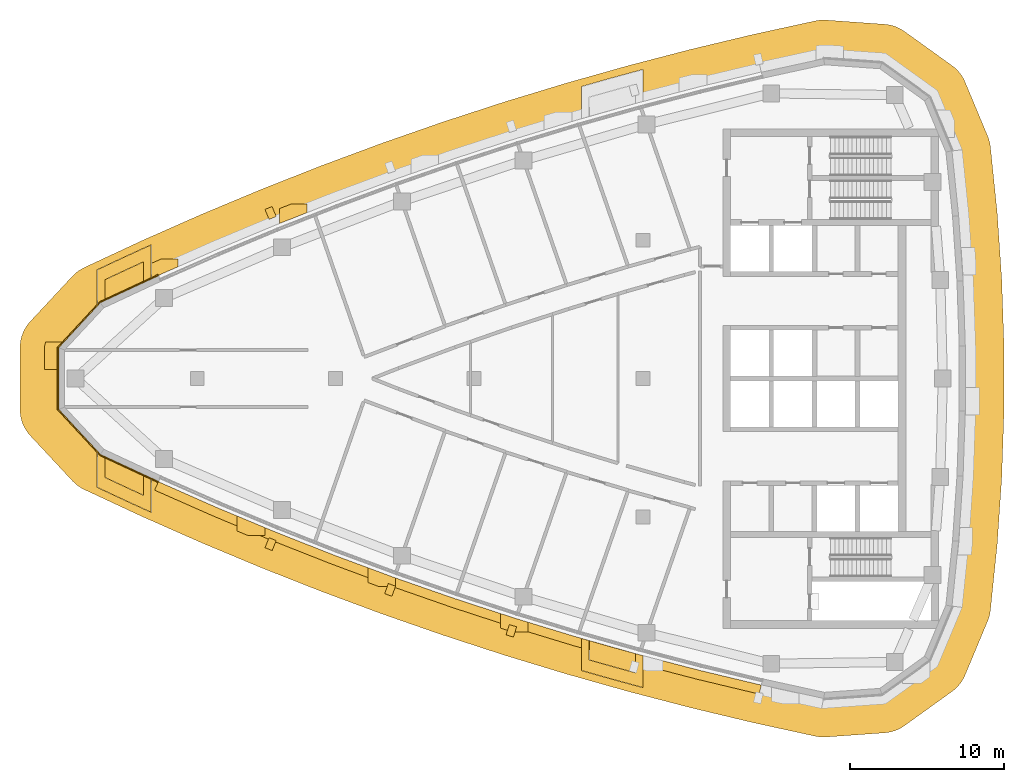
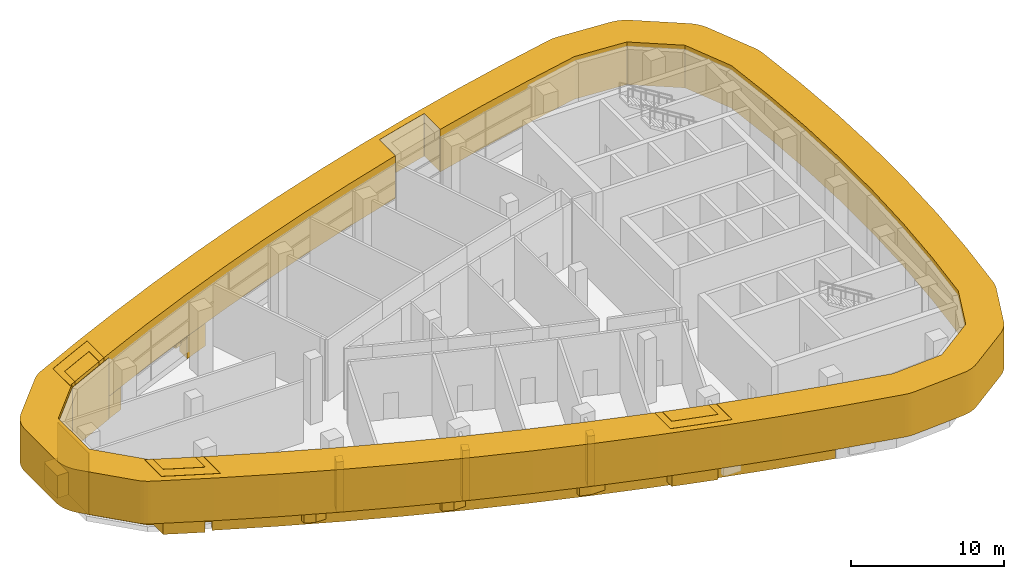
# One storey, part 11 of 14: 23 coverings.
"""IFC4 building model written with IfcOpenShell, lengths in metres."""

from ifc_helpers import new_model, si_unit, direction, frame, frame_2d, origin, place, context, subcontext, project, spatial, polyline, rectangle, outline, extrude, material, layer, layer_set, type_object, element, save


model = new_model("IFC4")

# Units and contexts
model_context = context("Model", 3, precision=1e-05, world=origin(), true_north=direction((0.0, 1.0)))
body_context = subcontext(model_context, "Body", "Model", "MODEL_VIEW")
ifc_project = project(units=[si_unit("LENGTHUNIT", "METRE"), si_unit("AREAUNIT", "SQUARE_METRE"), si_unit("VOLUMEUNIT", "CUBIC_METRE"), si_unit("PLANEANGLEUNIT", "RADIAN"), si_unit("MASSUNIT", "GRAM", prefix="KILO")], contexts=[model_context])

# Site, building, storey
site_placement = place(None, origin())
site = spatial("IfcSite", under=ifc_project, at=site_placement, CompositionType="ELEMENT")
building_placement = place(site_placement, origin())
building = spatial("IfcBuilding", under=site, at=building_placement, Name="Ostrand Prow Hotel Tower", CompositionType="ELEMENT")
storey_placement = place(building_placement, frame((0.0, 0.0, 303.39990234375)))
storey = spatial("IfcBuildingStorey", under=building, at=storey_placement, Name="L77", CompositionType="ELEMENT", Elevation=303.39990234375)

# Coverings
ifc_material_1 = material(Name="Limestone cladding", Category="masonry")
ifc_layer_1 = layer(ifc_material_1, 2.0)
ifc_layer_set_1 = layer_set([ifc_layer_1], Name="Limestone cladding")
covering_type_1 = type_object("IfcCoveringType", Name="Belt lip limestone", PredefinedType="CLADDING", material=ifc_layer_set_1)
covering_1_placement = place(storey_placement, frame((0.0, 0.0, 1.800048828125)))
element("IfcCovering", 1, at=covering_1_placement, inside=storey, type_object=covering_type_1, Name="Belt L77", PredefinedType="CLADDING", context=body_context, shape_type="SweptSolid", body=[
    extrude(outline(polyline([(12.458984375, 8.999755859375), (12.4130859375, 8.97900390625), (8.65478515625, 7.228271484375), (8.44189453125, 7.1162109375), (8.24072265625, 6.984375), (8.05322265625, 6.833984375), (7.881103515625, 6.666015625), (5.135498046875, 3.718017578125), (4.98388671875, 3.539306640625), (4.849853515625, 3.347412109375), (4.734375, 3.1435546875), (4.638427734375, 2.9296875), (4.56298828125, 2.7080078125), (4.5087890625, 2.47998046875), (4.475830078125, 2.248291015625), (4.46484375, 2.01416015625), (4.46484375, -2.01416015625), (4.475830078125, -2.248291015625), (4.5087890625, -2.47998046875), (4.56298828125, -2.7080078125), (4.638427734375, -2.9296875), (4.734375, -3.1435546875), (4.849853515625, -3.347412109375), (4.98388671875, -3.539306640625), (5.135498046875, -3.718017578125), (7.881103515625, -6.666015625), (8.05322265625, -6.833984375), (8.24072265625, -6.984375), (8.44189453125, -7.1162109375), (8.65478515625, -7.228271484375), (12.4130859375, -8.97900390625), (12.458984375, -8.999755859375), (16.251953125, -10.674560546875), (16.298095703125, -10.6943359375), (20.123779296875, -12.29248046875), (20.17041015625, -12.3115234375), (24.027587890625, -13.83251953125), (24.074462890625, -13.8505859375), (27.961181640625, -15.293701171875), (28.008544921875, -15.310791015625), (31.923583984375, -16.67529296875), (31.97119140625, -16.69140625), (35.9130859375, -17.977294921875), (35.961181640625, -17.9921875), (39.927978515625, -19.198486328125), (39.97607421875, -19.212890625), (43.96630859375, -20.339111328125), (44.014892578125, -20.352294921875), (48.027099609375, -21.398193359375), (48.07568359375, -21.410400390625), (52.10791015625, -22.375244140625), (52.156982421875, -22.386474609375), (56.2080078125, -23.270263671875), (56.44287109375, -23.309814453125), (56.6806640625, -23.326904296875), (56.918701171875, -23.3212890625), (60.724365234375, -23.0498046875), (60.95263671875, -23.022705078125), (61.177490234375, -22.97509765625), (61.397216796875, -22.90673828125), (61.609619140625, -22.818603515625), (61.81298828125, -22.71142578125), (62.005615234375, -22.5859375), (65.103515625, -20.359130859375), (65.28369140625, -20.21630859375), (65.4501953125, -20.057861328125), (65.601318359375, -19.884521484375), (65.736083984375, -19.6982421875), (65.852783203125, -19.500244140625), (65.951171875, -19.292236328125), (67.421142578125, -15.771728515625), (67.50390625, -15.5419921875), (67.564208984375, -15.305419921875), (67.60107421875, -15.064208984375), (68.03466796875, -10.845458984375), (68.0419921875, -10.760498046875), (68.331298828125, -6.529296875), (68.335693359375, -6.444091796875), (68.48046875, -2.205810546875), (68.48193359375, -2.120361328125), (68.48193359375, 2.120361328125), (68.48046875, 2.205810546875), (68.335693359375, 6.444091796875), (68.331298828125, 6.529296875), (68.0419921875, 10.760498046875), (68.03466796875, 10.845458984375), (67.60107421875, 15.064208984375), (67.564208984375, 15.305419921875), (67.50390625, 15.5419921875), (67.421142578125, 15.771728515625), (65.951171875, 19.292236328125), (65.852783203125, 19.500244140625), (65.736083984375, 19.6982421875), (65.601318359375, 19.884521484375), (65.4501953125, 20.057861328125), (65.28369140625, 20.21630859375), (65.103515625, 20.359130859375), (62.005615234375, 22.5859375), (61.81298828125, 22.71142578125), (61.609619140625, 22.818603515625), (61.397216796875, 22.90673828125), (61.177490234375, 22.97509765625), (60.95263671875, 23.022705078125), (60.724365234375, 23.0498046875), (56.918701171875, 23.3212890625), (56.6806640625, 23.326904296875), (56.44287109375, 23.309814453125), (56.2080078125, 23.270263671875), (52.156982421875, 22.386474609375), (52.10791015625, 22.375244140625), (48.07568359375, 21.410400390625), (48.027099609375, 21.398193359375), (44.014892578125, 20.352294921875), (43.96630859375, 20.339111328125), (39.97607421875, 19.212890625), (39.927978515625, 19.198486328125), (35.961181640625, 17.9921875), (35.9130859375, 17.977294921875), (31.97119140625, 16.69140625), (31.923583984375, 16.67529296875), (28.008544921875, 15.310791015625), (27.961181640625, 15.293701171875), (24.074462890625, 13.8505859375), (24.027587890625, 13.83251953125), (20.17041015625, 12.3115234375), (20.123779296875, 12.29248046875), (16.298095703125, 10.6943359375), (16.251953125, 10.674560546875), (12.458984375, 8.999755859375)]), holes=[polyline([(6.96484375, -2.01416015625), (6.96484375, 2.01416015625), (9.691162109375, 4.94140625), (9.50439453125, 4.852294921875), (9.50341796875, 4.851806640625), (9.50244140625, 4.8515625), (9.501708984375, 4.851318359375), (9.50048828125, 4.851318359375), (9.49951171875, 4.851318359375), (9.498779296875, 4.851318359375), (9.497802734375, 4.8515625), (9.496826171875, 4.851806640625), (9.495849609375, 4.852294921875), (9.4951171875, 4.8525390625), (9.494384765625, 4.85302734375), (9.493408203125, 4.853759765625), (9.492919921875, 4.8544921875), (9.4921875, 4.85498046875), (9.49169921875, 4.85595703125), (9.4912109375, 4.856689453125), (9.49072265625, 4.857666015625), (9.490478515625, 4.8583984375), (9.490234375, 4.859375), (9.489990234375, 4.8603515625), (9.489990234375, 4.861328125), (9.489990234375, 7.076904296875), (9.489990234375, 7.077880859375), (9.490234375, 7.078857421875), (9.490478515625, 7.07958984375), (9.49072265625, 7.08056640625), (9.4912109375, 7.081298828125), (9.49169921875, 7.082275390625), (9.4921875, 7.0830078125), (9.49267578125, 7.083740234375), (9.493408203125, 7.08447265625), (9.494140625, 7.0849609375), (9.494873046875, 7.08544921875), (9.49560546875, 7.0859375), (10.37060546875, 7.498046875), (10.370849609375, 7.498046875), (11.245849609375, 7.9052734375), (11.245849609375, 7.9052734375), (12.120849609375, 8.3076171875), (12.120849609375, 8.3076171875), (12.995849609375, 8.704833984375), (12.996826171875, 8.705322265625), (12.997802734375, 8.70556640625), (12.998779296875, 8.705810546875), (12.999755859375, 8.705810546875), (13.000732421875, 8.705810546875), (13.001708984375, 8.705810546875), (13.002685546875, 8.70556640625), (13.003662109375, 8.705078125), (13.004638671875, 8.70458984375), (13.00537109375, 8.7041015625), (13.006103515625, 8.70361328125), (13.007080078125, 8.702880859375), (13.0078125, 8.702392578125), (13.00830078125, 8.701416015625), (13.0087890625, 8.70068359375), (13.00927734375, 8.69970703125), (13.009521484375, 8.69873046875), (13.009765625, 8.69775390625), (13.010009765625, 8.69677734375), (13.010009765625, 8.69580078125), (13.010009765625, 6.49951171875), (13.010009765625, 6.4990234375), (13.468994140625, 6.712890625), (17.26171875, 8.3876953125), (21.08740234375, 9.98583984375), (24.944580078125, 11.5068359375), (28.83154296875, 12.949951171875), (32.74658203125, 14.314697265625), (36.6884765625, 15.6005859375), (40.6552734375, 16.806884765625), (40.99169921875, 16.90185546875), (40.99169921875, 16.902099609375), (40.9912109375, 16.90283203125), (40.99072265625, 16.90380859375), (40.990478515625, 16.904541015625), (40.990234375, 16.905517578125), (40.989990234375, 16.906494140625), (40.989990234375, 16.907470703125), (40.989990234375, 18.98974609375), (40.989990234375, 18.99072265625), (40.990234375, 18.99169921875), (40.990478515625, 18.99267578125), (40.99072265625, 18.99365234375), (40.9912109375, 18.994384765625), (40.99169921875, 18.995361328125), (40.9921875, 18.99609375), (40.992919921875, 18.996826171875), (40.99365234375, 18.99755859375), (40.994384765625, 18.998291015625), (40.995361328125, 18.998779296875), (40.996337890625, 18.9990234375), (40.997314453125, 18.99951171875), (41.997314453125, 19.284912109375), (41.997314453125, 19.284912109375), (42.997314453125, 19.565185546875), (42.997314453125, 19.565185546875), (43.997314453125, 19.83984375), (43.997314453125, 19.83984375), (44.997314453125, 20.109375), (44.998291015625, 20.109619140625), (44.999267578125, 20.109619140625), (45.000244140625, 20.109619140625), (45.001220703125, 20.109619140625), (45.002197265625, 20.109375), (45.003173828125, 20.109130859375), (45.00390625, 20.10888671875), (45.0048828125, 20.1083984375), (45.005615234375, 20.10791015625), (45.006591796875, 20.107177734375), (45.007080078125, 20.106689453125), (45.0078125, 20.10595703125), (45.00830078125, 20.10498046875), (45.0087890625, 20.104248046875), (45.00927734375, 20.103515625), (45.009521484375, 20.1025390625), (45.009765625, 20.1015625), (45.010009765625, 20.1005859375), (45.010009765625, 20.099609375), (45.010009765625, 18.029052734375), (45.010009765625, 18.028076171875), (48.65771484375, 18.97900390625), (52.68994140625, 19.94384765625), (56.74072265625, 20.82763671875), (60.54638671875, 20.55615234375), (63.644287109375, 18.3291015625), (65.114013671875, 14.80859375), (65.547607421875, 10.58984375), (65.837158203125, 6.35888671875), (65.98193359375, 2.120361328125), (65.98193359375, -2.120361328125), (65.837158203125, -6.35888671875), (65.547607421875, -10.58984375), (65.114013671875, -14.80859375), (63.644287109375, -18.3291015625), (60.54638671875, -20.55615234375), (56.74072265625, -20.82763671875), (52.68994140625, -19.94384765625), (48.65771484375, -18.97900390625), (45.010009765625, -18.028076171875), (45.010009765625, -18.029052734375), (45.010009765625, -20.099609375), (45.010009765625, -20.1005859375), (45.009765625, -20.1015625), (45.009521484375, -20.1025390625), (45.00927734375, -20.103515625), (45.0087890625, -20.104248046875), (45.00830078125, -20.10498046875), (45.0078125, -20.10595703125), (45.007080078125, -20.106689453125), (45.006591796875, -20.107177734375), (45.005615234375, -20.10791015625), (45.0048828125, -20.1083984375), (45.00390625, -20.10888671875), (45.003173828125, -20.109130859375), (45.002197265625, -20.109375), (45.001220703125, -20.109619140625), (45.000244140625, -20.109619140625), (44.999267578125, -20.109619140625), (44.998291015625, -20.109619140625), (44.997314453125, -20.109375), (43.997314453125, -19.83984375), (43.997314453125, -19.83984375), (42.997314453125, -19.565185546875), (42.997314453125, -19.565185546875), (41.997314453125, -19.284912109375), (41.997314453125, -19.284912109375), (40.997314453125, -18.99951171875), (40.996337890625, -18.9990234375), (40.995361328125, -18.998779296875), (40.994384765625, -18.998291015625), (40.99365234375, -18.99755859375), (40.992919921875, -18.996826171875), (40.9921875, -18.99609375), (40.99169921875, -18.995361328125), (40.9912109375, -18.994384765625), (40.99072265625, -18.99365234375), (40.990478515625, -18.99267578125), (40.990234375, -18.99169921875), (40.989990234375, -18.99072265625), (40.989990234375, -18.98974609375), (40.989990234375, -16.907470703125), (40.989990234375, -16.906494140625), (40.990234375, -16.905517578125), (40.990478515625, -16.904541015625), (40.99072265625, -16.90380859375), (40.9912109375, -16.90283203125), (40.99169921875, -16.902099609375), (40.99169921875, -16.90185546875), (40.6552734375, -16.806884765625), (36.6884765625, -15.6005859375), (32.74658203125, -14.314697265625), (28.83154296875, -12.949951171875), (24.944580078125, -11.5068359375), (21.08740234375, -9.98583984375), (17.26171875, -8.3876953125), (13.468994140625, -6.712890625), (13.010009765625, -6.4990234375), (13.010009765625, -6.49951171875), (13.010009765625, -8.69580078125), (13.010009765625, -8.69677734375), (13.009765625, -8.69775390625), (13.009521484375, -8.69873046875), (13.00927734375, -8.69970703125), (13.0087890625, -8.70068359375), (13.00830078125, -8.701416015625), (13.0078125, -8.702392578125), (13.007080078125, -8.702880859375), (13.006103515625, -8.70361328125), (13.00537109375, -8.7041015625), (13.004638671875, -8.70458984375), (13.003662109375, -8.705078125), (13.002685546875, -8.70556640625), (13.001708984375, -8.705810546875), (13.000732421875, -8.705810546875), (12.999755859375, -8.705810546875), (12.998779296875, -8.705810546875), (12.997802734375, -8.70556640625), (12.996826171875, -8.705322265625), (12.995849609375, -8.704833984375), (12.120849609375, -8.3076171875), (12.120849609375, -8.3076171875), (11.245849609375, -7.9052734375), (11.245849609375, -7.9052734375), (10.370849609375, -7.498046875), (10.37060546875, -7.498046875), (9.49560546875, -7.0859375), (9.494873046875, -7.08544921875), (9.494140625, -7.0849609375), (9.493408203125, -7.08447265625), (9.49267578125, -7.083740234375), (9.4921875, -7.0830078125), (9.49169921875, -7.082275390625), (9.4912109375, -7.081298828125), (9.49072265625, -7.08056640625), (9.490478515625, -7.07958984375), (9.490234375, -7.078857421875), (9.489990234375, -7.077880859375), (9.489990234375, -7.076904296875), (9.489990234375, -4.861328125), (9.489990234375, -4.8603515625), (9.490234375, -4.859375), (9.490478515625, -4.8583984375), (9.49072265625, -4.857666015625), (9.4912109375, -4.856689453125), (9.49169921875, -4.85595703125), (9.4921875, -4.85498046875), (9.492919921875, -4.8544921875), (9.493408203125, -4.853759765625), (9.494384765625, -4.85302734375), (9.4951171875, -4.8525390625), (9.495849609375, -4.852294921875), (9.496826171875, -4.851806640625), (9.497802734375, -4.8515625), (9.498779296875, -4.851318359375), (9.49951171875, -4.851318359375), (9.50048828125, -4.851318359375), (9.501708984375, -4.851318359375), (9.50244140625, -4.8515625), (9.50341796875, -4.851806640625), (9.50439453125, -4.852294921875), (9.691162109375, -4.94140625), (6.96484375, -2.01416015625)])]), origin(), (0.0, 0.0, 1.0), 3.400146484375),
])
covering_2_placement = place(storey_placement, origin())
element("IfcCovering", 2, at=covering_2_placement, inside=storey, type_object=covering_type_1, Name="Belt fin 1 L77", PredefinedType="CLADDING", context=body_context, shape_type="SweptSolid", body=[
    extrude(outline(polyline([(6.06494140625, 2.01416015625), (6.06494140625, 0.582275390625), (6.96484375, 0.582275390625), (6.96484375, 2.01416015625), (7.3076171875, 2.38232421875), (6.144775390625, 2.38232421875), (6.12744140625, 2.34375), (6.10009765625, 2.263916015625), (6.08056640625, 2.181884765625), (6.06884765625, 2.098388671875), (6.06494140625, 2.01416015625)])), origin(), (0.0, 0.0, 1.0), 1.800048828125),
])
covering_3_placement = place(storey_placement, origin())
element("IfcCovering", 3, at=covering_3_placement, inside=storey, type_object=covering_type_1, Name="Belt fin 3 L77", PredefinedType="CLADDING", context=body_context, shape_type="SweptSolid", body=[
    extrude(outline(polyline([(18.598388671875, -9.92138671875), (19.31787109375, -10.221923828125), (20.3984375, -10.221923828125), (20.3984375, -9.697998046875), (18.598388671875, -8.946044921875), (18.598388671875, -9.92138671875)])), origin(), (0.0, 0.0, 1.0), 1.800048828125),
])
covering_4_placement = place(storey_placement, origin())
element("IfcCovering", 4, at=covering_4_placement, inside=storey, type_object=covering_type_1, Name="Belt fin 4 L77", PredefinedType="CLADDING", context=body_context, shape_type="SweptSolid", body=[
    extrude(outline(polyline([(27.093505859375, -13.2646484375), (27.831787109375, -13.538818359375), (28.893310546875, -13.538818359375), (28.893310546875, -12.9716796875), (28.83154296875, -12.949951171875), (27.093505859375, -12.3046875), (27.093505859375, -13.2646484375)])), origin(), (0.0, 0.0, 1.0), 1.800048828125),
])
covering_5_placement = place(storey_placement, origin())
element("IfcCovering", 5, at=covering_5_placement, inside=storey, type_object=covering_type_1, Name="Belt fin 5 L77", PredefinedType="CLADDING", context=body_context, shape_type="SweptSolid", body=[
    extrude(outline(polyline([(36.426513671875, -16.461669921875), (36.487548828125, -16.47998046875), (37.52587890625, -16.47998046875), (37.52587890625, -15.855224609375), (36.6884765625, -15.6005859375), (35.725830078125, -15.28662109375), (35.725830078125, -16.233154296875), (36.4091796875, -16.4560546875), (36.426513671875, -16.461669921875)])), origin(), (0.0, 0.0, 1.0), 1.800048828125),
])
covering_6_placement = place(storey_placement, origin())
element("IfcCovering", 6, at=covering_6_placement, inside=storey, type_object=covering_type_1, Name="Belt fin 17 L77", PredefinedType="CLADDING", context=body_context, shape_type="SweptSolid", body=[
    extrude(outline(polyline([(22.072265625, 11.341552734375), (21.34326171875, 11.05419921875), (21.34326171875, 10.086669921875), (23.143310546875, 10.79638671875), (23.143310546875, 11.341552734375), (22.072265625, 11.341552734375)])), origin(), (0.0, 0.0, 1.0), 1.800048828125),
])
covering_7_placement = place(storey_placement, origin())
element("IfcCovering", 7, at=covering_7_placement, inside=storey, type_object=covering_type_1, Name="Belt fin 18 L77", PredefinedType="CLADDING", context=body_context, shape_type="SweptSolid", body=[
    extrude(outline(polyline([(13.65771484375, 7.780029296875), (13.105224609375, 7.5361328125), (13.0888671875, 7.528564453125), (13.010009765625, 7.491943359375), (13.010009765625, 6.49951171875), (13.010009765625, 6.4990234375), (13.468994140625, 6.712890625), (14.747802734375, 7.277587890625), (14.747802734375, 7.780029296875), (13.65771484375, 7.780029296875)])), origin(), (0.0, 0.0, 1.0), 1.800048828125),
])
ifc_material_2 = material(Name="Bronze anodised aluminium cladding", Category="aluminium")
ifc_layer_2 = layer(ifc_material_2, 0.60009765625)
ifc_layer_set_2 = layer_set([ifc_layer_2], Name="Bronze anodised aluminium cladding")
covering_type_2 = type_object("IfcCoveringType", Name="Bronze spandrel band 1200x600", PredefinedType="CLADDING", material=ifc_layer_set_2)
covering_8_placement = place(storey_placement, frame((0.0, 0.0, -0.2998046875)))
element("IfcCovering", 8, at=covering_8_placement, inside=storey, type_object=covering_type_2, Name="Spandrel band S1", PredefinedType="CLADDING", context=body_context, shape_type="SweptSolid", body=[
    extrude(outline(polyline([(13.220947265625, -7.25927734375), (17.02490234375, -8.938720703125), (20.86181640625, -10.541748046875), (24.72998046875, -12.067138671875), (28.62841796875, -13.514404296875), (32.5546875, -14.88330078125), (36.508056640625, -16.172607421875), (40.486328125, -17.382568359375), (44.48828125, -18.51220703125), (48.51220703125, -19.56103515625), (52.55615234375, -20.52880859375), (52.68994140625, -19.94384765625), (48.65771484375, -18.97900390625), (44.6455078125, -17.93310546875), (40.6552734375, -16.806884765625), (36.6884765625, -15.6005859375), (32.74658203125, -14.314697265625), (28.83154296875, -12.949951171875), (24.944580078125, -11.5068359375), (21.08740234375, -9.98583984375), (17.26171875, -8.3876953125), (13.468994140625, -6.712890625), (13.220947265625, -7.25927734375)])), origin(), (0.0, 0.0, 1.0), 1.199951171875),
])
ifc_material_3 = material(Name="Limestone cladding", Category="masonry")
ifc_layer_3 = layer(ifc_material_3, 5.0)
ifc_layer_set_3 = layer_set([ifc_layer_3], Name="Limestone cladding")
covering_type_3 = type_object("IfcCoveringType", Name="Portal jamb pilaster limestone", PredefinedType="CLADDING", material=ifc_layer_set_3)
covering_9_placement = place(storey_placement, origin())
element("IfcCovering", 9, at=covering_9_placement, inside=storey, type_object=covering_type_3, Name="Portal jamb SA L77", PredefinedType="CLADDING", context=body_context, shape_type="SweptSolid", body=[
    extrude(outline(polyline([(10.0, -5.10009765625), (10.0, -6.428466796875), (10.833251953125, -6.8203125), (11.666748046875, -7.20751953125), (12.5, -7.590087890625), (12.5, -6.270263671875), (11.666748046875, -5.884765625), (10.833251953125, -5.494873046875), (10.0, -5.10009765625)])), origin(), (0.0, 0.0, 1.0), 5.2001953125),
])
covering_10_placement = place(storey_placement, origin())
element("IfcCovering", 10, at=covering_10_placement, inside=storey, type_object=covering_type_3, Name="Portal jamb SB L77", PredefinedType="CLADDING", context=body_context, shape_type="SweptSolid", body=[
    extrude(outline(polyline([(41.5, -17.052490234375), (41.5, -18.301025390625), (42.5, -18.585205078125), (43.5, -18.86376953125), (44.5, -19.136962890625), (44.5, -17.8935546875), (43.5, -17.61865234375), (42.5, -17.338134765625), (41.5, -17.052490234375)])), origin(), (0.0, 0.0, 1.0), 5.2001953125),
])
covering_11_placement = place(storey_placement, origin())
element("IfcCovering", 11, at=covering_11_placement, inside=storey, type_object=covering_type_3, Name="Portal jamb NA L77", PredefinedType="CLADDING", context=body_context, shape_type="SweptSolid", body=[
    extrude(outline(polyline([(10.0, 5.10009765625), (10.833251953125, 5.494873046875), (11.666748046875, 5.884765625), (12.5, 6.270263671875), (12.5, 7.590087890625), (11.666748046875, 7.20751953125), (10.833251953125, 6.8203125), (10.0, 6.428466796875), (10.0, 5.10009765625)])), origin(), (0.0, 0.0, 1.0), 5.2001953125),
])
ifc_material_4 = material(Name="Limestone cladding", Category="masonry")
ifc_layer_4 = layer(ifc_material_4, 4.0)
ifc_layer_set_4 = layer_set([ifc_layer_4], Name="Limestone cladding")
covering_type_4 = type_object("IfcCoveringType", Name="Portal lintel limestone", PredefinedType="CLADDING", material=ifc_layer_set_4)
covering_12_placement = place(storey_placement, frame((0.0, 0.0, 3.7001953125)))
element("IfcCovering", 12, at=covering_12_placement, inside=storey, type_object=covering_type_4, Name="Portal jamb cap SA L77", PredefinedType="CLADDING", context=body_context, shape_type="SweptSolid", body=[
    extrude(outline(polyline([(9.9912109375, -5.095458984375), (9.5, -4.861328125), (9.5, -7.076904296875), (10.375, -7.489013671875), (11.25, -7.896240234375), (12.125, -8.298583984375), (13.0, -8.69580078125), (13.0, -6.49951171875), (12.510009765625, -6.274169921875), (12.510009765625, -7.590087890625), (12.510009765625, -7.59130859375), (12.509765625, -7.59228515625), (12.509521484375, -7.59326171875), (12.50927734375, -7.593994140625), (12.5087890625, -7.594970703125), (12.50830078125, -7.595947265625), (12.507568359375, -7.5966796875), (12.507080078125, -7.597412109375), (12.506103515625, -7.59814453125), (12.50537109375, -7.5986328125), (12.50439453125, -7.59912109375), (12.503662109375, -7.599609375), (12.502685546875, -7.599853515625), (12.501708984375, -7.60009765625), (12.500732421875, -7.60009765625), (12.499755859375, -7.60009765625), (12.498779296875, -7.60009765625), (12.497802734375, -7.60009765625), (12.496826171875, -7.599609375), (12.495849609375, -7.599365234375), (11.66259765625, -7.216552734375), (11.66259765625, -7.216552734375), (10.8291015625, -6.829345703125), (10.8291015625, -6.829345703125), (9.99560546875, -6.4375), (9.994873046875, -6.43701171875), (9.994140625, -6.4365234375), (9.993408203125, -6.43603515625), (9.99267578125, -6.435302734375), (9.9921875, -6.4345703125), (9.99169921875, -6.433837890625), (9.9912109375, -6.43310546875), (9.99072265625, -6.43212890625), (9.990478515625, -6.43115234375), (9.990234375, -6.430419921875), (9.989990234375, -6.429443359375), (9.989990234375, -6.428466796875), (9.989990234375, -5.10009765625), (9.989990234375, -5.099365234375), (9.990234375, -5.098388671875), (9.990478515625, -5.097412109375), (9.99072265625, -5.096435546875), (9.9912109375, -5.095703125), (9.9912109375, -5.095458984375)])), origin(), (0.0, 0.0, 1.0), 1.5),
])
covering_13_placement = place(storey_placement, frame((0.0, 0.0, 3.7001953125)))
element("IfcCovering", 13, at=covering_13_placement, inside=storey, type_object=covering_type_4, Name="Portal jamb cap SB L77", PredefinedType="CLADDING", context=body_context, shape_type="SweptSolid", body=[
    extrude(outline(polyline([(41.490478515625, -17.049072265625), (41.0, -16.907470703125), (41.0, -18.98974609375), (42.0, -19.275390625), (43.0, -19.555419921875), (44.0, -19.830078125), (45.0, -20.099609375), (45.0, -18.029052734375), (44.510009765625, -17.8955078125), (44.510009765625, -19.136962890625), (44.510009765625, -19.137939453125), (44.509765625, -19.138916015625), (44.509521484375, -19.139892578125), (44.50927734375, -19.140625), (44.5087890625, -19.1416015625), (44.50830078125, -19.142333984375), (44.5078125, -19.143310546875), (44.507080078125, -19.143798828125), (44.50634765625, -19.14453125), (44.505615234375, -19.145263671875), (44.5048828125, -19.145751953125), (44.50390625, -19.14599609375), (44.503173828125, -19.146484375), (44.502197265625, -19.146728515625), (44.501220703125, -19.14697265625), (44.500244140625, -19.14697265625), (44.499267578125, -19.14697265625), (44.498291015625, -19.146728515625), (44.497314453125, -19.146484375), (43.497314453125, -18.873291015625), (43.497314453125, -18.873291015625), (42.497314453125, -18.5947265625), (42.497314453125, -18.5947265625), (41.497314453125, -18.310791015625), (41.496337890625, -18.310302734375), (41.495361328125, -18.31005859375), (41.49462890625, -18.3095703125), (41.493896484375, -18.308837890625), (41.492919921875, -18.308349609375), (41.4921875, -18.3076171875), (41.49169921875, -18.306640625), (41.4912109375, -18.305908203125), (41.49072265625, -18.304931640625), (41.490478515625, -18.303955078125), (41.490234375, -18.302978515625), (41.489990234375, -18.302001953125), (41.489990234375, -18.301025390625), (41.489990234375, -17.052490234375), (41.489990234375, -17.051513671875), (41.490234375, -17.050537109375), (41.490478515625, -17.049560546875), (41.490478515625, -17.049072265625)])), origin(), (0.0, 0.0, 1.0), 1.5),
])
covering_14_placement = place(storey_placement, frame((0.0, 0.0, 3.7001953125)))
element("IfcCovering", 14, at=covering_14_placement, inside=storey, type_object=covering_type_4, Name="Portal jamb cap NA L77", PredefinedType="CLADDING", context=body_context, shape_type="SweptSolid", body=[
    extrude(outline(polyline([(9.5, 7.076904296875), (9.5, 4.861328125), (9.9912109375, 5.095458984375), (9.9912109375, 5.095703125), (9.99072265625, 5.096435546875), (9.990478515625, 5.097412109375), (9.990234375, 5.098388671875), (9.989990234375, 5.099365234375), (9.989990234375, 5.10009765625), (9.989990234375, 6.428466796875), (9.989990234375, 6.429443359375), (9.990234375, 6.430419921875), (9.990478515625, 6.43115234375), (9.99072265625, 6.43212890625), (9.9912109375, 6.43310546875), (9.99169921875, 6.433837890625), (9.9921875, 6.4345703125), (9.99267578125, 6.435302734375), (9.993408203125, 6.43603515625), (9.994140625, 6.4365234375), (9.994873046875, 6.43701171875), (9.99560546875, 6.4375), (10.8291015625, 6.829345703125), (10.8291015625, 6.829345703125), (11.66259765625, 7.216552734375), (11.66259765625, 7.216552734375), (12.495849609375, 7.599365234375), (12.496826171875, 7.599609375), (12.497802734375, 7.60009765625), (12.498779296875, 7.60009765625), (12.499755859375, 7.60009765625), (12.500732421875, 7.60009765625), (12.501708984375, 7.60009765625), (12.502685546875, 7.599853515625), (12.503662109375, 7.599609375), (12.50439453125, 7.59912109375), (12.50537109375, 7.5986328125), (12.506103515625, 7.59814453125), (12.507080078125, 7.597412109375), (12.507568359375, 7.5966796875), (12.50830078125, 7.595947265625), (12.5087890625, 7.594970703125), (12.50927734375, 7.593994140625), (12.509521484375, 7.59326171875), (12.509765625, 7.59228515625), (12.510009765625, 7.59130859375), (12.510009765625, 7.590087890625), (12.510009765625, 6.274169921875), (13.0, 6.49951171875), (13.0, 8.69580078125), (12.125, 8.298583984375), (11.25, 7.896240234375), (10.375, 7.489013671875), (9.5, 7.076904296875)])), origin(), (0.0, 0.0, 1.0), 1.5),
])
ifc_material_5 = material(Name="Limestone cladding", Category="masonry")
ifc_layer_5 = layer(ifc_material_5, 0.5)
ifc_layer_set_5 = layer_set([ifc_layer_5], Name="Limestone cladding")
covering_type_5 = type_object("IfcCoveringType", Name="Precast stone fin 500x600", PredefinedType="CLADDING", material=ifc_layer_set_5)
for number, where, z_axis, x_axis, name in (
    (15, (20.8994140625, -10.44921875, 0.900146484375), (0.0, 0.0, 1.0), (-0.376377046956, -0.926466577122, 0.0), "Stone fin S 3"),
    (16, (28.662109375, -13.42041015625, 0.900146484375), (0.0, 0.0, 1.0), (-0.338633021138, -0.940918528352, 0.0), "Stone fin S 5"),
):
    element("IfcCovering", number, at=place(storey_placement, frame(where, z_axis=z_axis, x_axis=x_axis)), inside=storey, type_object=covering_type_5, Name=name, PredefinedType="CLADDING", context=body_context, shape_type="SweptSolid", body=[
        extrude(rectangle(XDim=0.699951171875, YDim=0.5, at=frame_2d((0.35009765625, 0.0))), origin(), (0.0, 0.0, 1.0), 4.0),
    ])
covering_15_placement = place(storey_placement, frame((36.5380859375, -16.077392578125, 0.900146484375), z_axis=(0.0, 0.0, 1.0), x_axis=(-0.30059725976, -0.953751166408, 0.0)))
element("IfcCovering", 17, at=covering_15_placement, inside=storey, type_object=covering_type_5, Name="Stone fin S 7", PredefinedType="CLADDING", context=body_context, shape_type="SweptSolid", body=[
    extrude(rectangle(XDim=0.7001953125, YDim=0.5, at=frame_2d((0.35009765625, 0.0))), origin(), (0.0, 0.0, 1.0), 4.0),
])
covering_16_placement = place(storey_placement, frame((20.8994140625, 10.44921875, 0.900146484375), z_axis=(0.0, 0.0, 1.0), x_axis=(-0.376377046956, 0.926466577122, 0.0)))
element("IfcCovering", 18, at=covering_16_placement, inside=storey, type_object=covering_type_5, Name="Stone fin N 9", PredefinedType="CLADDING", context=body_context, shape_type="SweptSolid", body=[
    extrude(rectangle(XDim=0.699951171875, YDim=0.5, at=frame_2d((0.35009765625, 0.0))), origin(), (0.0, 0.0, 1.0), 4.0),
])
ifc_material_6 = material(Name="Limestone cladding", Category="masonry")
ifc_layer_6 = layer(ifc_material_6, 0.080078125)
ifc_layer_set_6 = layer_set([ifc_layer_6], Name="Limestone cladding")
covering_type_6 = type_object("IfcCoveringType", Name="Warm limestone cladding 80 mm", PredefinedType="CLADDING", material=ifc_layer_set_6)
covering_17_placement = place(storey_placement, frame((13.45947265625, 6.7333984375, 0.0), z_axis=(0.0, 0.0, 1.0), x_axis=(-0.906471727269, -0.422266512599, 0.0)))
element("IfcCovering", 19, at=covering_17_placement, inside=storey, type_object=covering_type_6, Name="Limestone cladding prow 1", PredefinedType="CLADDING", context=body_context, shape_type="SweptSolid", body=[
    extrude(outline(polyline([(0.0, -0.0400390625), (4.154541015625, -0.0400390625), (4.138916015625, 0.0400390625), (0.0, 0.0400390625), (0.0, -0.0400390625)])), origin(), (0.0, 0.0, 1.0), 4.900146484375),
])
covering_18_placement = place(storey_placement, frame((9.70068359375, 4.982421875, 0.0), z_axis=(0.0, 0.0, 1.0), x_axis=(-0.681552301685, -0.731769403616, 0.0)))
element("IfcCovering", 20, at=covering_18_placement, inside=storey, type_object=covering_type_6, Name="Limestone cladding prow 2", PredefinedType="CLADDING", context=body_context, shape_type="SweptSolid", body=[
    extrude(outline(polyline([(-0.0078125, -0.0400390625), (4.060546875, -0.0400390625), (4.029296875, 0.0400390625), (0.0078125, 0.0400390625), (-0.0078125, -0.0400390625)])), origin(), (0.0, 0.0, 1.0), 4.900146484375),
])
covering_19_placement = place(storey_placement, frame((6.94384765625, 2.0224609375, 0.0), z_axis=(0.0, 0.0, 1.0), x_axis=(0.0, -1.0, 0.0)))
element("IfcCovering", 21, at=covering_19_placement, inside=storey, type_object=covering_type_6, Name="Limestone cladding prow 3", PredefinedType="CLADDING", context=body_context, shape_type="SweptSolid", body=[
    extrude(outline(polyline([(-0.015625, -0.0400390625), (4.060546875, -0.0400390625), (4.029296875, 0.0400390625), (0.015625, 0.0400390625), (-0.015625, -0.0400390625)])), origin(), (0.0, 0.0, 1.0), 4.900146484375),
])
covering_20_placement = place(storey_placement, frame((6.94384765625, -2.0224609375, 0.0), z_axis=(0.0, 0.0, 1.0), x_axis=(0.681552301685, -0.731769403616, 0.0)))
element("IfcCovering", 22, at=covering_20_placement, inside=storey, type_object=covering_type_6, Name="Limestone cladding prow 4", PredefinedType="CLADDING", context=body_context, shape_type="SweptSolid", body=[
    extrude(outline(polyline([(-0.015625, -0.0400390625), (4.052734375, -0.0400390625), (4.037109375, 0.0400390625), (0.015625, 0.0400390625), (-0.015625, -0.0400390625)])), origin(), (0.0, 0.0, 1.0), 4.900146484375),
])
covering_21_placement = place(storey_placement, frame((9.70068359375, -4.982421875, 0.0), z_axis=(0.0, 0.0, 1.0), x_axis=(0.906471727269, -0.422266512599, 0.0)))
element("IfcCovering", 23, at=covering_21_placement, inside=storey, type_object=covering_type_6, Name="Limestone cladding prow 5", PredefinedType="CLADDING", context=body_context, shape_type="SweptSolid", body=[
    extrude(outline(polyline([(-0.0078125, -0.0400390625), (4.146728515625, -0.0400390625), (4.146728515625, 0.0400390625), (0.0078125, 0.0400390625), (-0.0078125, -0.0400390625)])), origin(), (0.0, 0.0, 1.0), 4.900146484375),
])

save(model, "model.ifc")
